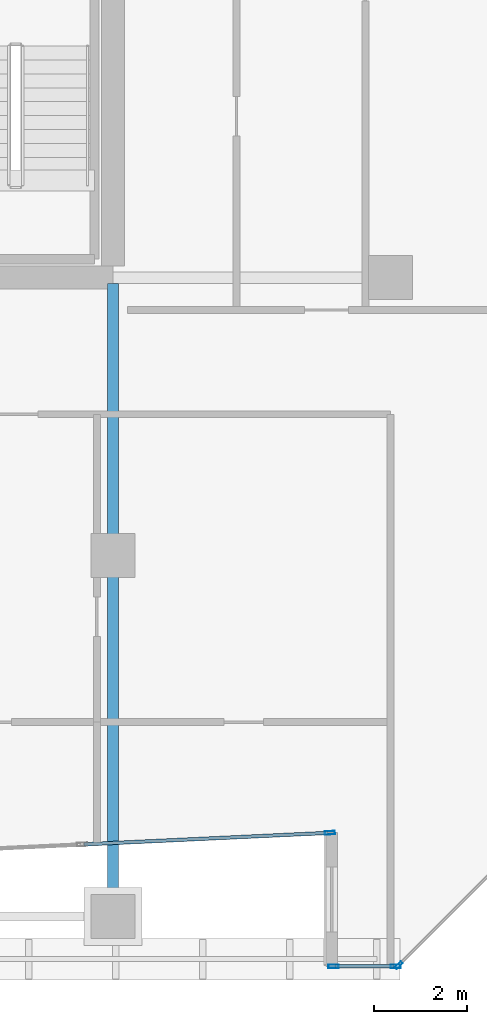
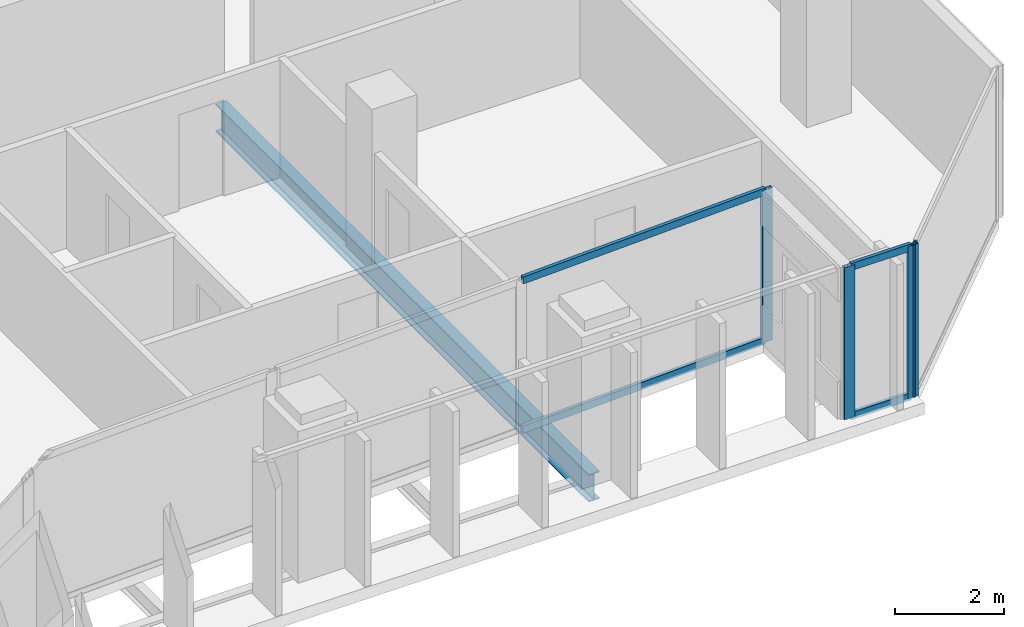
# One storey, part 20 of 39: 8 members, 1 beam, 3 elements without a shape of their own.
"""IFC4 building model written with IfcOpenShell, lengths in metres."""

from ifc_helpers import new_model, si_unit, direction, frame, origin, origin_2d, place, context, subcontext, project, spatial, hollow_rectangle, i_section, extrude, material, layer, layer_set, material_profile, profile_set, type_object, element, aggregate, save


model = new_model("IFC4")

# Units and contexts
model_context = context("Model", 3, precision=1e-05, world=origin(), true_north=direction((0.0, 1.0)))
body_context = subcontext(model_context, "Body", "Model", "MODEL_VIEW")
ifc_project = project(units=[si_unit("LENGTHUNIT", "METRE"), si_unit("AREAUNIT", "SQUARE_METRE"), si_unit("VOLUMEUNIT", "CUBIC_METRE"), si_unit("PLANEANGLEUNIT", "RADIAN"), si_unit("MASSUNIT", "GRAM", prefix="KILO")], contexts=[model_context])

# Site, building, storey
site_placement = place(None, origin())
site = spatial("IfcSite", under=ifc_project, at=site_placement, CompositionType="ELEMENT")
building_placement = place(site_placement, origin())
building = spatial("IfcBuilding", under=site, at=building_placement, Name="Tanjung Sevakor Pilgrim Tower", CompositionType="ELEMENT")
storey_placement = place(building_placement, frame((0.0, 0.0, 112.199951171875)))
storey = spatial("IfcBuildingStorey", under=building, at=storey_placement, Name="L31", CompositionType="ELEMENT", Elevation=112.199951171875)

# Beam
ifc_material_1 = material(Name="Steel S355J2", Category="steel")
ifc_material_profile_1 = material_profile(ifc_material_1, i_section(OverallWidth=0.230224609375, OverallDepth=0.6171875, WebThickness=0.01318359375, FlangeThickness=0.022216796875, FilletRadius=0.0126953125, at=origin_2d()))
ifc_profile_set_1 = profile_set([ifc_material_profile_1], Name="Steel S355J2")
beam_type = type_object("IfcBeamType", Name="BM-B-G3-UB_610x229x140", PredefinedType="BEAM", material=ifc_profile_set_1)
beam_placement = place(storey_placement, frame((90.0, 10.800048828125, -0.528564453125), z_axis=(0.0, 1.0, 0.0), x_axis=(-1.0, 0.0, 0.0)))
element("IfcBeam", 1, at=beam_placement, inside=storey, type_object=beam_type, Name="L31 MAIN Girder 045", PredefinedType="BEAM", context=body_context, shape_type="SweptSolid", body=[
    extrude(i_section(OverallWidth=0.230224609375, OverallDepth=0.6171875, WebThickness=0.01318359375, FlangeThickness=0.022216796875, FilletRadius=0.0126953125, at=origin_2d()), origin(), (0.0, 0.0, 1.0), 13.672607421875),
])

# Curtain wall, member
ifc_material_2 = material(Name="Aluminium 6063-T6 and Low-E Glass", Category="aluminium")
ifc_layer_1 = layer(ifc_material_2, 0.179931640625)
ifc_layer_set_1 = layer_set([ifc_layer_1], Name="CW-SYS-CHAM")
curtain_wall_type_1 = type_object("IfcCurtainWallType", Name="CW-SYS-CHAM", PredefinedType="NOTDEFINED", material=ifc_layer_set_1)
curtain_wall_1_placement = place(storey_placement, origin())
curtain_wall_1 = element("IfcCurtainWall", 2, at=curtain_wall_1_placement, inside=storey, type_object=curtain_wall_type_1, Name="L31 Curtain Wall CW-CHM-L31-MAIN-15", PredefinedType="NOTDEFINED")
ifc_material_3 = material(Name="Aluminium 6063-T6", Category="aluminium")
ifc_material_profile_2 = material_profile(ifc_material_3, hollow_rectangle(XDim=0.06494140625, YDim=0.179931640625, WallThickness=0.00390625, at=origin_2d()))
ifc_profile_set_2 = profile_set([ifc_material_profile_2], Name="Aluminium 6063-T6")
member_type_1 = type_object("IfcMemberType", Name="TYPE-CWM-1", PredefinedType="MULLION", material=ifc_profile_set_2)
member_1_placement = place(storey_placement, frame((96.171142578125, 9.748046875, 0.0), z_axis=(0.0, 0.0, 1.0), x_axis=(-0.707106781187, 0.707106781187, 0.0)))
member_1 = element("IfcMember", 3, at=member_1_placement, type_object=member_type_1, Name="CW-CHM mullion 1", PredefinedType="MULLION", context=body_context, shape_type="SweptSolid", body=[
    extrude(hollow_rectangle(XDim=0.06494140625, YDim=0.179931640625, WallThickness=0.00390625, at=origin_2d()), origin(), (0.0, 0.0, 1.0), 3.41015625),
])
aggregate(curtain_wall_1, [member_1])

ifc_material_4 = material(Name="Aluminium 6063-T6 and Low-E Glass", Category="aluminium")
ifc_layer_2 = layer(ifc_material_4, 0.199951171875)
ifc_layer_set_2 = layer_set([ifc_layer_2], Name="CW-SYS-PRAY")
curtain_wall_type_2 = type_object("IfcCurtainWallType", Name="CW-SYS-PRAY", PredefinedType="NOTDEFINED", material=ifc_layer_set_2)
curtain_wall_2_placement = place(storey_placement, origin())
curtain_wall_2 = element("IfcCurtainWall", 4, at=curtain_wall_2_placement, inside=storey, type_object=curtain_wall_type_2, Name="L31 Curtain Wall CW-PRY-L31-12", PredefinedType="NOTDEFINED")
ifc_material_5 = material(Name="Aluminium 6063-T6", Category="aluminium")
ifc_material_profile_3 = material_profile(ifc_material_5, hollow_rectangle(XDim=0.074951171875, YDim=0.219970703125, WallThickness=0.0048828125, at=origin_2d()))
ifc_profile_set_3 = profile_set([ifc_material_profile_3], Name="Aluminium 6063-T6")
member_type_2 = type_object("IfcMemberType", Name="TYPE-CWM-2", PredefinedType="MULLION", material=ifc_profile_set_3)
member_2_placement = place(storey_placement, frame((94.6875, 12.609130859375, 0.0), z_axis=(0.0, 0.0, 1.0), x_axis=(-0.046892491411, 0.998899942061, 0.0)))
member_2 = element("IfcMember", 5, at=member_2_placement, type_object=member_type_2, Name="CW-PRY mullion 3", PredefinedType="MULLION", context=body_context, shape_type="SweptSolid", body=[
    extrude(hollow_rectangle(XDim=0.074951171875, YDim=0.219970703125, WallThickness=0.0048828125, at=origin_2d()), origin(), (0.0, 0.0, 1.0), 3.41015625),
])

# Curtain wall, members
curtain_wall_3_placement = place(storey_placement, origin())
curtain_wall_3 = element("IfcCurtainWall", 6, at=curtain_wall_3_placement, inside=storey, type_object=curtain_wall_type_2, Name="L31 Curtain Wall CW-PRY-L31-14", PredefinedType="NOTDEFINED")
member_3_placement = place(storey_placement, frame((94.762451171875, 9.72509765625, 0.0), z_axis=(0.0, 0.0, 1.0), x_axis=(0.0, 1.0, 0.0)))
member_3 = element("IfcMember", 7, at=member_3_placement, type_object=member_type_2, Name="CW-PRY mullion 1", PredefinedType="MULLION", context=body_context, shape_type="SweptSolid", body=[
    extrude(hollow_rectangle(XDim=0.074951171875, YDim=0.219970703125, WallThickness=0.0048828125, at=origin_2d()), origin(), (0.0, 0.0, 1.0), 3.41015625),
])
member_4_placement = place(storey_placement, frame((96.110595703125, 9.72509765625, 0.0), z_axis=(0.0, 0.0, 1.0), x_axis=(0.0, 1.0, 0.0)))
member_4 = element("IfcMember", 8, at=member_4_placement, type_object=member_type_2, Name="CW-PRY mullion 2", PredefinedType="MULLION", context=body_context, shape_type="SweptSolid", body=[
    extrude(hollow_rectangle(XDim=0.074951171875, YDim=0.219970703125, WallThickness=0.0048828125, at=origin_2d()), origin(), (0.0, 0.0, 1.0), 3.41015625),
])

# Member
ifc_material_6 = material(Name="Aluminium 6063-T6", Category="aluminium")
ifc_material_profile_4 = material_profile(ifc_material_6, hollow_rectangle(XDim=0.074951171875, YDim=0.159912109375, WallThickness=0.00439453125, at=origin_2d()))
ifc_profile_set_4 = profile_set([ifc_material_profile_4], Name="Aluminium 6063-T6")
member_type_3 = type_object("IfcMemberType", Name="TYPE-CWT-2", PredefinedType="USERDEFINED", material=ifc_profile_set_4)
member_5_placement = place(storey_placement, frame((89.3720703125, 12.359619140625, 0.03759765625), z_axis=(0.998899693598, 0.046897783848, 0.0), x_axis=(-0.046897783848, 0.998899693598, 0.0)))
member_5 = element("IfcMember", 9, at=member_5_placement, type_object=member_type_3, Name="CW-PRY transom 2.1", ObjectType="TRANSOM", PredefinedType="USERDEFINED", context=body_context, shape_type="SweptSolid", body=[
    extrude(hollow_rectangle(XDim=0.074951171875, YDim=0.159912109375, WallThickness=0.00439453125, at=origin_2d()), origin(), (0.0, 0.0, 1.0), 5.283935546875),
])

member_6_placement = place(storey_placement, frame((89.3720703125, 12.359619140625, 3.37255859375), z_axis=(0.998899693598, 0.046897783848, 0.0), x_axis=(-0.046897783848, 0.998899693598, 0.0)))
member_6 = element("IfcMember", 10, at=member_6_placement, type_object=member_type_3, Name="CW-PRY transom 2.2", ObjectType="TRANSOM", PredefinedType="USERDEFINED", context=body_context, shape_type="SweptSolid", body=[
    extrude(hollow_rectangle(XDim=0.074951171875, YDim=0.159912109375, WallThickness=0.00439453125, at=origin_2d()), origin(), (0.0, 0.0, 1.0), 5.283935546875),
])

aggregate(curtain_wall_2, [member_2, member_5, member_6])

member_7_placement = place(storey_placement, frame((94.800048828125, 9.72509765625, 0.03759765625), z_axis=(1.0, 0.0, 0.0), x_axis=(0.0, 1.0, 0.0)))
member_7 = element("IfcMember", 11, at=member_7_placement, type_object=member_type_3, Name="CW-PRY transom 1.1", ObjectType="TRANSOM", PredefinedType="USERDEFINED", context=body_context, shape_type="SweptSolid", body=[
    extrude(hollow_rectangle(XDim=0.074951171875, YDim=0.159912109375, WallThickness=0.00439453125, at=origin_2d()), origin(), (0.0, 0.0, 1.0), 1.273193359375),
])

member_8_placement = place(storey_placement, frame((94.800048828125, 9.72509765625, 3.37255859375), z_axis=(1.0, 0.0, 0.0), x_axis=(0.0, 1.0, 0.0)))
member_8 = element("IfcMember", 12, at=member_8_placement, type_object=member_type_3, Name="CW-PRY transom 1.2", ObjectType="TRANSOM", PredefinedType="USERDEFINED", context=body_context, shape_type="SweptSolid", body=[
    extrude(hollow_rectangle(XDim=0.074951171875, YDim=0.159912109375, WallThickness=0.00439453125, at=origin_2d()), origin(), (0.0, 0.0, 1.0), 1.273193359375),
])

aggregate(curtain_wall_3, [member_3, member_4, member_7, member_8])

save(model, "model.ifc")
